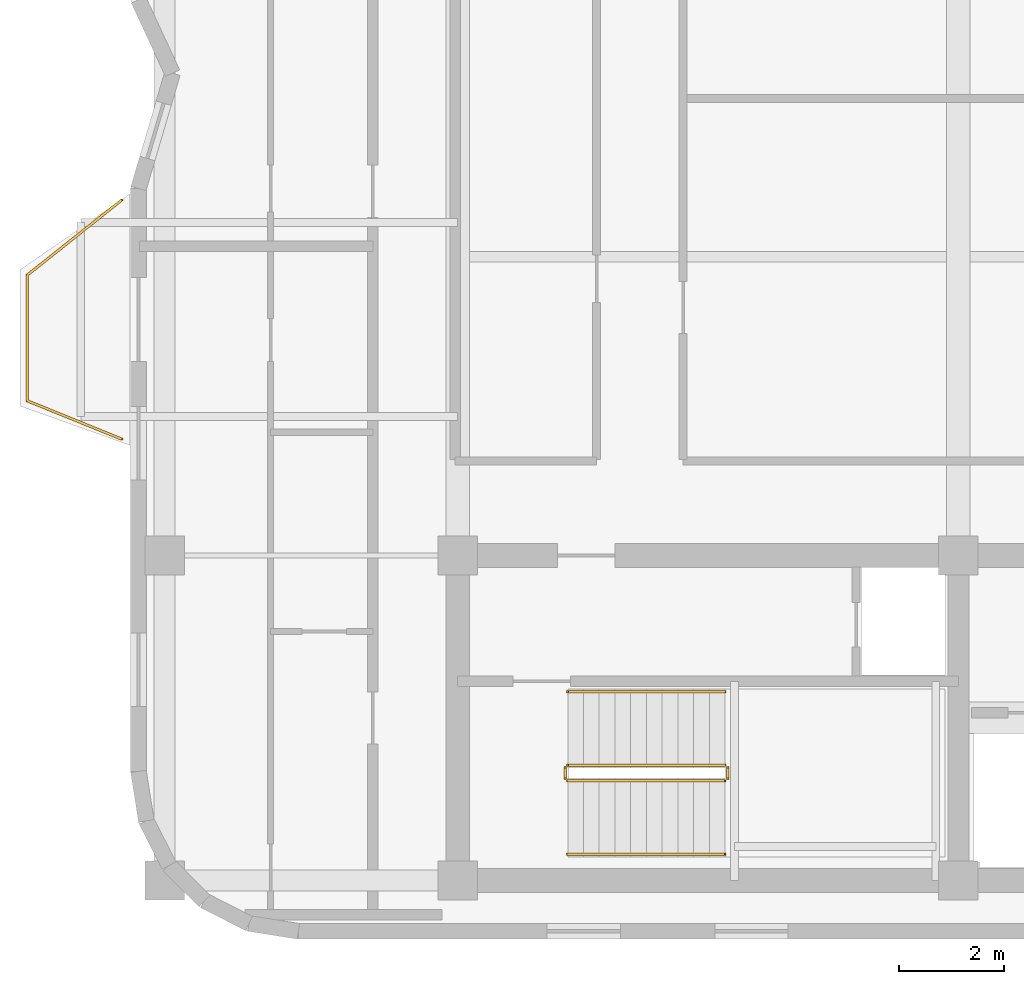
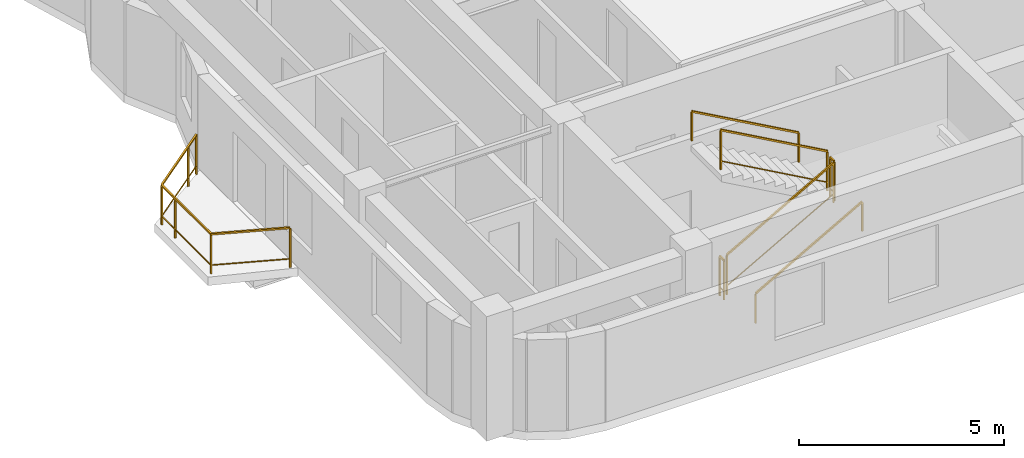
# One storey, part 7 of 8: 7 railings.
"""IFC4 building model written with IfcOpenShell, lengths in metres."""

from ifc_helpers import new_model, si_unit, direction, frame, origin, origin_2d, place, context, subcontext, project, spatial, rectangle, extrude, material, type_object, element, save


model = new_model("IFC4")

# Units and contexts
model_context = context("Model", 3, precision=1e-05, world=origin(), true_north=direction((0.0, 1.0)))
body_context = subcontext(model_context, "Body", "Model", "MODEL_VIEW")
ifc_project = project(units=[si_unit("LENGTHUNIT", "METRE"), si_unit("AREAUNIT", "SQUARE_METRE"), si_unit("VOLUMEUNIT", "CUBIC_METRE"), si_unit("PLANEANGLEUNIT", "RADIAN"), si_unit("MASSUNIT", "GRAM", prefix="KILO")], contexts=[model_context])

# Site, building, storey
site_placement = place(None, origin())
site = spatial("IfcSite", under=ifc_project, at=site_placement, CompositionType="ELEMENT")
building_placement = place(site_placement, origin())
building = spatial("IfcBuilding", under=site, at=building_placement, Name="Svetorya Sky Lyceum", CompositionType="ELEMENT")
storey_placement = place(building_placement, frame((0.0, 0.0, 286.10009765625)))
storey = spatial("IfcBuildingStorey", under=building, at=storey_placement, Name="L72", CompositionType="ELEMENT", Elevation=286.10009765625)

# Railings
ifc_material_1 = material(Name="Laminated safety glass and stainless AISI 316", Category="glass")
railing_type_1 = type_object("IfcRailingType", Name="RL-BAL-1200", PredefinedType="BALUSTRADE", material=ifc_material_1)
railing_1_placement = place(storey_placement, frame((19.18994140625, 19.02001953125, 0.0)))
element("IfcRailing", 1, at=railing_1_placement, inside=storey, type_object=railing_type_1, Name="L72 Balcony Balustrade BAL-W1", PredefinedType="BALUSTRADE", context=body_context, shape_type="SweptSolid", body=[
    extrude(rectangle(XDim=0.048095703125, YDim=0.048095703125, at=origin_2d()), frame((0.0, 0.0, 1.17578125), z_axis=(-0.926697865975, 0.375807218129, 0.0), x_axis=(-0.375807218129, -0.926697865975, 0.0)), (0.0, 0.0, 1.0), 1.9423828125),
    extrude(rectangle(XDim=0.02392578125, YDim=0.02392578125, at=origin_2d()), frame((0.0, 0.0, 0.25), z_axis=(-0.926697865975, 0.375807218129, 0.0), x_axis=(-0.375807218129, -0.926697865975, 0.0)), (0.0, 0.0, 1.0), 1.9423828125),
    extrude(rectangle(XDim=0.048095703125, YDim=0.048095703125, at=origin_2d()), frame((-1.800048828125, 0.72998046875, 1.17578125), z_axis=(0.0, 1.0, 0.0), x_axis=(-1.0, 0.0, 0.0)), (0.0, 0.0, 1.0), 2.39990234375),
    extrude(rectangle(XDim=0.02392578125, YDim=0.02392578125, at=origin_2d()), frame((-1.800048828125, 0.72998046875, 0.25), z_axis=(0.0, 1.0, 0.0), x_axis=(-1.0, 0.0, 0.0)), (0.0, 0.0, 1.0), 2.39990234375),
    extrude(rectangle(XDim=0.048095703125, YDim=0.048095703125, at=origin_2d()), frame((-1.800048828125, 3.1298828125, 1.17578125), z_axis=(0.782957196596, 0.622075580857, 0.0), x_axis=(-0.622075580857, 0.782957196596, 0.0)), (0.0, 0.0, 1.0), 2.299072265625),
    extrude(rectangle(XDim=0.02392578125, YDim=0.02392578125, at=origin_2d()), frame((-1.800048828125, 3.1298828125, 0.25), z_axis=(0.782957196596, 0.622075580857, 0.0), x_axis=(-0.622075580857, 0.782957196596, 0.0)), (0.0, 0.0, 1.0), 2.299072265625),
    extrude(rectangle(XDim=0.0419921875, YDim=0.0419921875, at=origin_2d()), origin(), (0.0, 0.0, 1.0), 1.15185546875),
    extrude(rectangle(XDim=0.0419921875, YDim=0.0419921875, at=origin_2d()), frame((-1.800048828125, 0.72998046875, 0.0)), (0.0, 0.0, 1.0), 1.15185546875),
    extrude(rectangle(XDim=0.0419921875, YDim=0.0419921875, at=origin_2d()), frame((-1.800048828125, 2.47998046875, 0.0)), (0.0, 0.0, 1.0), 1.15185546875),
    extrude(rectangle(XDim=0.0419921875, YDim=0.0419921875, at=origin_2d()), frame((-1.800048828125, 3.1298828125, 0.0)), (0.0, 0.0, 1.0), 1.15185546875),
    extrude(rectangle(XDim=0.0419921875, YDim=0.0419921875, at=origin_2d()), frame((-0.429931640625, 4.218505859375, 0.0)), (0.0, 0.0, 1.0), 1.15185546875),
    extrude(rectangle(XDim=0.0419921875, YDim=0.0419921875, at=origin_2d()), frame((0.0, 4.56005859375, 0.0)), (0.0, 0.0, 1.0), 1.15185546875),
])
ifc_material_2 = material(Name="Painted galvanized stair well guard")
railing_type_2 = type_object("IfcRailingType", Name="RL-STR-GUARD-1200", PredefinedType="GUARDRAIL", material=ifc_material_2)
railing_2_placement = place(storey_placement, frame((27.699951171875, 12.5, 0.16796875)))
element("IfcRailing", 2, at=railing_2_placement, inside=storey, type_object=railing_type_2, Name="L72 ST-S stair guard 1", PredefinedType="GUARDRAIL", context=body_context, shape_type="SweptSolid", body=[
    extrude(rectangle(XDim=0.048095703125, YDim=0.048095703125, at=origin_2d()), frame((0.0, 0.0, 1.17578125), z_axis=(0.872272294576, 0.0, 0.489020494575), x_axis=(0.0, 1.0, 0.0)), (0.0, 0.0, 1.0), 3.439208984375),
    extrude(rectangle(XDim=0.02392578125, YDim=0.02392578125, at=origin_2d()), frame((0.0, 0.0, 0.25), z_axis=(0.872272294576, 0.0, 0.489020494575), x_axis=(0.0, 1.0, 0.0)), (0.0, 0.0, 1.0), 3.439208984375),
    extrude(rectangle(XDim=0.0419921875, YDim=0.0419921875, at=origin_2d()), origin(), (0.0, 0.0, 1.0), 1.15185546875),
    extrude(rectangle(XDim=0.0419921875, YDim=0.0419921875, at=origin_2d()), frame((3.0, 0.0, 1.681884765625)), (0.0, 0.0, 1.0), 1.15185546875),
])
railing_3_placement = place(storey_placement, frame((30.75, 12.550048828125, 1.849853515625)))
element("IfcRailing", 3, at=railing_3_placement, inside=storey, type_object=railing_type_2, Name="L72 ST-S stair guard 2", PredefinedType="GUARDRAIL", context=body_context, shape_type="SweptSolid", body=[
    extrude(rectangle(XDim=0.048095703125, YDim=0.048095703125, at=origin_2d()), frame((0.0, 0.0, 1.17578125), z_axis=(0.0, 1.0, 0.0), x_axis=(-1.0, 0.0, 0.0)), (0.0, 0.0, 1.0), 0.199951171875),
    extrude(rectangle(XDim=0.02392578125, YDim=0.02392578125, at=origin_2d()), frame((0.0, 0.0, 0.25), z_axis=(0.0, 1.0, 0.0), x_axis=(-1.0, 0.0, 0.0)), (0.0, 0.0, 1.0), 0.199951171875),
    extrude(rectangle(XDim=0.0419921875, YDim=0.0419921875, at=origin_2d()), origin(), (0.0, 0.0, 1.0), 1.15185546875),
    extrude(rectangle(XDim=0.0419921875, YDim=0.0419921875, at=origin_2d()), frame((0.0, 0.199951171875, 0.0)), (0.0, 0.0, 1.0), 1.15185546875),
])
railing_4_placement = place(storey_placement, frame((30.699951171875, 12.800048828125, 2.01806640625)))
element("IfcRailing", 4, at=railing_4_placement, inside=storey, type_object=railing_type_2, Name="L72 ST-S stair guard 3", PredefinedType="GUARDRAIL", context=body_context, shape_type="SweptSolid", body=[
    extrude(rectangle(XDim=0.048095703125, YDim=0.048095703125, at=origin_2d()), frame((0.0, 0.0, 1.17578125), z_axis=(-0.872272294576, 0.0, 0.489020494575), x_axis=(0.0, -1.0, 0.0)), (0.0, 0.0, 1.0), 3.439208984375),
    extrude(rectangle(XDim=0.02392578125, YDim=0.02392578125, at=origin_2d()), frame((0.0, 0.0, 0.25), z_axis=(-0.872272294576, 0.0, 0.489020494575), x_axis=(0.0, -1.0, 0.0)), (0.0, 0.0, 1.0), 3.439208984375),
    extrude(rectangle(XDim=0.0419921875, YDim=0.0419921875, at=origin_2d()), origin(), (0.0, 0.0, 1.0), 1.15185546875),
    extrude(rectangle(XDim=0.0419921875, YDim=0.0419921875, at=origin_2d()), frame((-3.0, 0.0, 1.681884765625)), (0.0, 0.0, 1.0), 1.15185546875),
])
railing_5_placement = place(storey_placement, frame((27.64990234375, 12.550048828125, 0.0)))
element("IfcRailing", 5, at=railing_5_placement, inside=storey, type_object=railing_type_2, Name="L72 ST-S stair guard 4", PredefinedType="GUARDRAIL", context=body_context, shape_type="SweptSolid", body=[
    extrude(rectangle(XDim=0.048095703125, YDim=0.048095703125, at=origin_2d()), frame((0.0, 0.0, 1.17578125), z_axis=(0.0, 1.0, 0.0), x_axis=(-1.0, 0.0, 0.0)), (0.0, 0.0, 1.0), 0.199951171875),
    extrude(rectangle(XDim=0.02392578125, YDim=0.02392578125, at=origin_2d()), frame((0.0, 0.0, 0.25), z_axis=(0.0, 1.0, 0.0), x_axis=(-1.0, 0.0, 0.0)), (0.0, 0.0, 1.0), 0.199951171875),
    extrude(rectangle(XDim=0.0419921875, YDim=0.0419921875, at=origin_2d()), origin(), (0.0, 0.0, 1.0), 1.15185546875),
    extrude(rectangle(XDim=0.0419921875, YDim=0.0419921875, at=origin_2d()), frame((0.0, 0.199951171875, 0.0)), (0.0, 0.0, 1.0), 1.15185546875),
])
ifc_material_3 = material(Name="Brushed stainless AISI 304 stair handrail")
railing_type_3 = type_object("IfcRailingType", Name="RL-STR-HAND-920", PredefinedType="HANDRAIL", material=ifc_material_3)
railing_6_placement = place(storey_placement, frame((27.699951171875, 11.10009765625, 0.16796875)))
element("IfcRailing", 6, at=railing_6_placement, inside=storey, type_object=railing_type_3, Name="L72 ST-S stair handrail 1", PredefinedType="HANDRAIL", context=body_context, shape_type="SweptSolid", body=[
    extrude(rectangle(XDim=0.048095703125, YDim=0.048095703125, at=origin_2d()), frame((0.0, 0.0, 0.8759765625), z_axis=(0.872272294576, 0.0, 0.489020494575), x_axis=(0.0, 1.0, 0.0)), (0.0, 0.0, 1.0), 3.439208984375),
    extrude(rectangle(XDim=0.0419921875, YDim=0.0419921875, at=origin_2d()), origin(), (0.0, 0.0, 1.0), 0.851806640625),
    extrude(rectangle(XDim=0.0419921875, YDim=0.0419921875, at=origin_2d()), frame((3.0, 0.0, 1.681884765625)), (0.0, 0.0, 1.0), 0.851806640625),
])
railing_7_placement = place(storey_placement, frame((30.699951171875, 14.199951171875, 2.01806640625)))
element("IfcRailing", 7, at=railing_7_placement, inside=storey, type_object=railing_type_3, Name="L72 ST-S stair handrail 2", PredefinedType="HANDRAIL", context=body_context, shape_type="SweptSolid", body=[
    extrude(rectangle(XDim=0.048095703125, YDim=0.048095703125, at=origin_2d()), frame((0.0, 0.0, 0.8759765625), z_axis=(-0.872272294576, 0.0, 0.489020494575), x_axis=(0.0, -1.0, 0.0)), (0.0, 0.0, 1.0), 3.439208984375),
    extrude(rectangle(XDim=0.0419921875, YDim=0.0419921875, at=origin_2d()), origin(), (0.0, 0.0, 1.0), 0.851806640625),
    extrude(rectangle(XDim=0.0419921875, YDim=0.0419921875, at=origin_2d()), frame((-3.0, 0.0, 1.681884765625)), (0.0, 0.0, 1.0), 0.851806640625),
])

save(model, "model.ifc")
